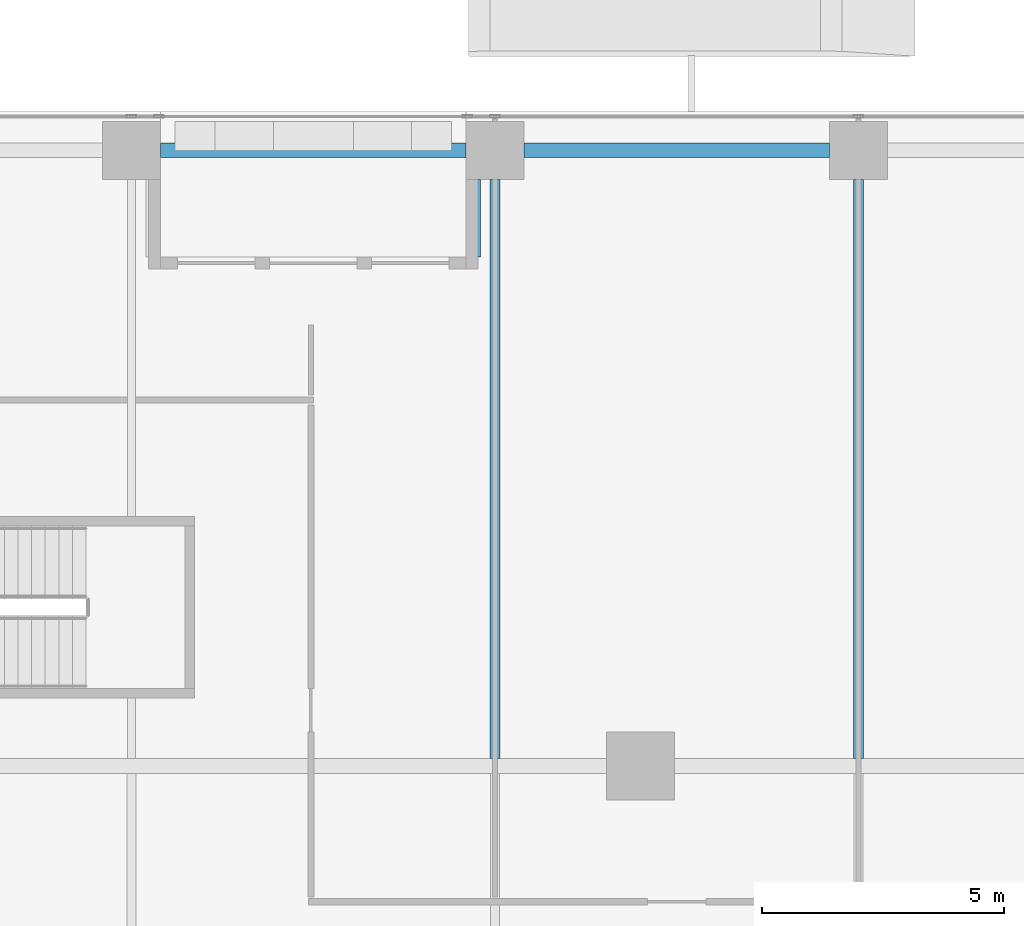
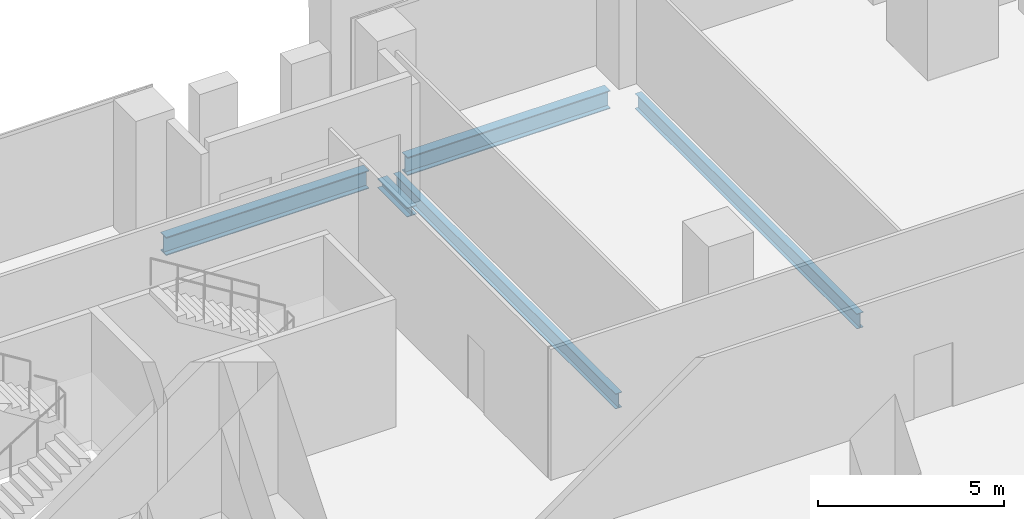
# One storey, part 18 of 34: 5 beams.
"""IFC4 building model written with IfcOpenShell, lengths in metres."""

from ifc_helpers import new_model, si_unit, direction, frame, origin, origin_2d, place, context, subcontext, project, spatial, i_section, extrude, source, transform, mapped, material, material_profile, profile_set, type_object, element, save


model = new_model("IFC4")

# Units and contexts
model_context = context("Model", 3, precision=1e-05, world=origin(), true_north=direction((0.0, 1.0)))
body_context = subcontext(model_context, "Body", "Model", "MODEL_VIEW")
ifc_project = project(units=[si_unit("LENGTHUNIT", "METRE"), si_unit("AREAUNIT", "SQUARE_METRE"), si_unit("VOLUMEUNIT", "CUBIC_METRE"), si_unit("PLANEANGLEUNIT", "RADIAN"), si_unit("MASSUNIT", "GRAM", prefix="KILO")], contexts=[model_context])

# Site, building, storey
site_placement = place(None, origin())
site = spatial("IfcSite", under=ifc_project, at=site_placement, CompositionType="ELEMENT")
building_placement = place(site_placement, origin())
building = spatial("IfcBuilding", under=site, at=building_placement, Name="Khomas Fold Tower", CompositionType="ELEMENT")
storey_placement = place(building_placement, frame((0.0, 0.0, 51.0)))
storey = spatial("IfcBuildingStorey", under=building, at=storey_placement, Name="L10", CompositionType="ELEMENT", Elevation=51.0)

# Beams
ifc_material_1 = material(Name="Steel S355", Category="steel")
ifc_material_profile_1 = material_profile(ifc_material_1, i_section(OverallWidth=0.300048828125, OverallDepth=0.60009765625, WebThickness=0.015380859375, FlangeThickness=0.030029296875, at=origin_2d()), Name="HE 600 B")
ifc_profile_set_1 = profile_set([ifc_material_profile_1], Name="Steel S355")
beam_type_1 = type_object("IfcBeamType", Name="HE 600 B spandrel SB1", PredefinedType="SPANDREL", material=ifc_profile_set_1)
shared_shape_1 = source(origin(), body_context, "Body", "SweptSolid", [
    extrude(i_section(OverallWidth=0.300048828125, OverallDepth=0.60009765625, WebThickness=0.015380859375, FlangeThickness=0.030029296875, at=origin_2d()), origin(), (0.0, 0.0, 1.0), 6.2998046875),
])
for number, where, z_axis, x_axis, name in (
    (1, (35.10009765625, 53.199951171875, -0.60009765625), (1.0, 0.0, 0.0), (0.0, 1.0, 0.0), "SB1"),
    (2, (27.60009765625, 53.199951171875, -0.60009765625), (1.0, 0.0, 0.0), (0.0, 1.0, 0.0), "SB1"),
):
    element("IfcBeam", number, at=place(storey_placement, frame(where, z_axis=z_axis, x_axis=x_axis)), inside=storey, type_object=beam_type_1, Name=name, PredefinedType="SPANDREL", context=body_context, shape_type="MappedRepresentation", body=[
        mapped(shared_shape_1, transform((0.0, 0.0, 0.0))),
    ])
ifc_material_2 = material(Name="Steel S355", Category="steel")
ifc_material_profile_2 = material_profile(ifc_material_2, i_section(OverallWidth=0.300048828125, OverallDepth=0.300048828125, WebThickness=0.010986328125, FlangeThickness=0.01904296875, at=origin_2d()), Name="HE 300 B")
ifc_profile_set_2 = profile_set([ifc_material_profile_2], Name="Steel S355")
beam_type_2 = type_object("IfcBeamType", Name="HE 300 B beam BB1", PredefinedType="BEAM", material=ifc_profile_set_2)
shared_shape_2 = source(origin(), body_context, "Body", "SweptSolid", [
    extrude(i_section(OverallWidth=0.300048828125, OverallDepth=0.300048828125, WebThickness=0.010986328125, FlangeThickness=0.01904296875, at=origin_2d()), origin(), (0.0, 0.0, 1.0), 1.60009765625),
])
beam_placement = place(storey_placement, frame((34.050048828125, 51.0, -0.449951171875), z_axis=(0.0, 1.0, 0.0), x_axis=(-1.0, 0.0, 0.0)))
element("IfcBeam", 3, at=beam_placement, inside=storey, type_object=beam_type_2, Name="BB1", PredefinedType="BEAM", context=body_context, shape_type="MappedRepresentation", body=[
    mapped(shared_shape_2, transform((0.0, 0.0, 0.0))),
])
ifc_material_3 = material(Name="Steel S355", Category="steel")
ifc_material_profile_3 = material_profile(ifc_material_3, i_section(OverallWidth=0.199951171875, OverallDepth=0.5, WebThickness=0.01025390625, FlangeThickness=0.01611328125, at=origin_2d()), Name="IPE 500")
ifc_profile_set_3 = profile_set([ifc_material_profile_3], Name="Steel S355")
beam_type_3 = type_object("IfcBeamType", Name="IPE 500 beam JB5", PredefinedType="BEAM", material=ifc_profile_set_3)
shared_shape_3 = source(origin(), body_context, "Body", "SweptSolid", [
    extrude(i_section(OverallWidth=0.199951171875, OverallDepth=0.5, WebThickness=0.01025390625, FlangeThickness=0.01611328125, at=origin_2d()), origin(), (0.0, 0.0, 1.0), 11.9501953125),
])
for number, where, z_axis, x_axis, name in (
    (4, (34.5, 40.64990234375, -0.550048828125), (0.0, 1.0, 0.0), (-1.0, 0.0, 0.0), "JB5"),
    (5, (42.0, 40.64990234375, -0.550048828125), (0.0, 1.0, 0.0), (-1.0, 0.0, 0.0), "JB5"),
):
    element("IfcBeam", number, at=place(storey_placement, frame(where, z_axis=z_axis, x_axis=x_axis)), inside=storey, type_object=beam_type_3, Name=name, PredefinedType="BEAM", context=body_context, shape_type="MappedRepresentation", body=[
        mapped(shared_shape_3, transform((0.0, 0.0, 0.0))),
    ])

save(model, "model.ifc")
